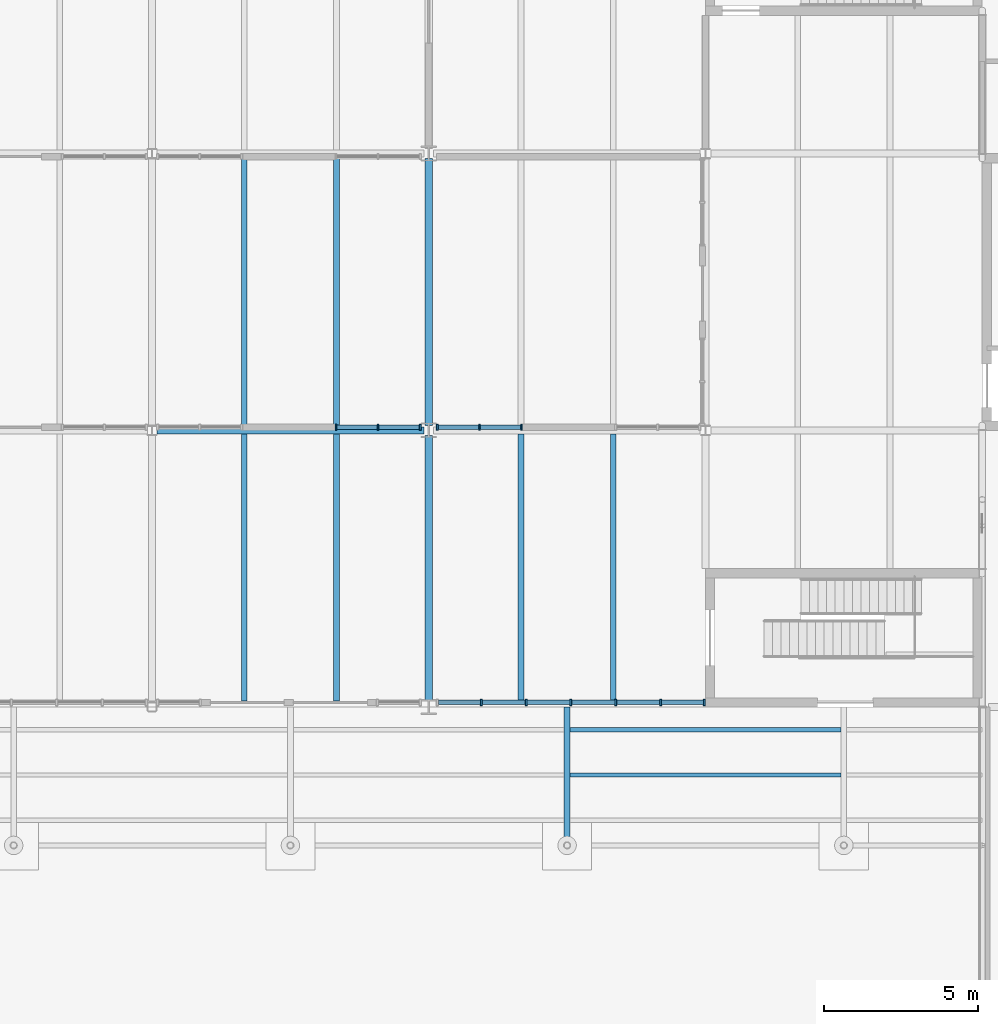
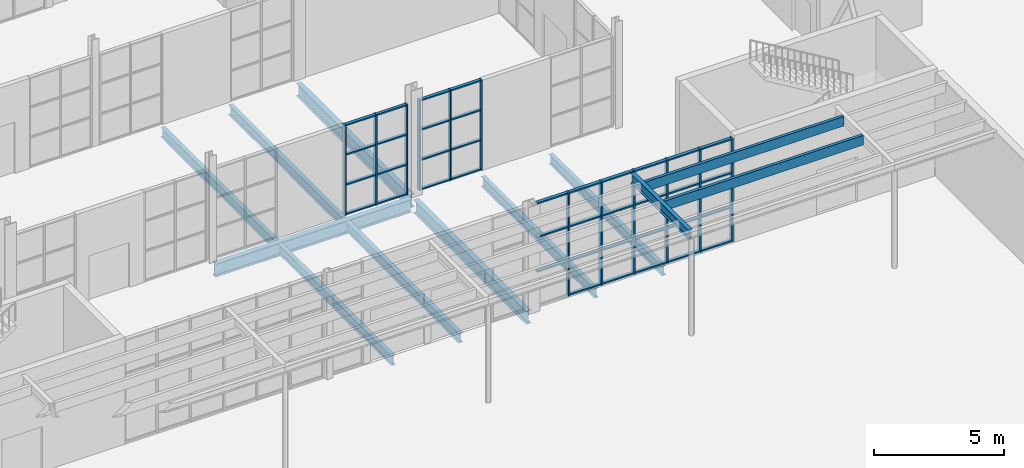
# One storey, part 15 of 63: 51 members, 12 beams, 3 elements without a shape of their own.
"""IFC4 building model written with IfcOpenShell, lengths in metres."""

import ifcopenshell
import ifcopenshell.guid

model = None  # the IFC model being written
_history = None  # IfcOwnerHistory: only IFC2X3 demands one
_inside = {}  # id of a spatial element -> (the spatial element, [elements in it])
_under = {}  # id of a project, library or spatial element -> (it, [spatial elements below it])
_declared = {}  # id of a project -> (the project, [libraries it declares])
_typed = {}  # id of a type object -> (the type object, [elements of that type])
_made_of = {}  # id of a material, layer set ... -> (it, [elements and type objects made of it])


def new_model(schema):
    """Start an empty IFC model of exactly this schema.

    Asked for "IFC4X3", IfcOpenShell would pick the latest addendum, in which some entities
    have other attributes; the version numbers below select the first issue.
    IFC2X3 requires an IfcOwnerHistory on every rooted entity: one is made here for all.
    """
    global model, _history
    if schema == "IFC4X3":
        model = ifcopenshell.file(schema_version=(4, 3, 0, 0))
    else:
        model = ifcopenshell.file(schema=schema)
    _inside.clear()
    _under.clear()
    _declared.clear()
    _typed.clear()
    _made_of.clear()
    _history = None
    if model.schema == "IFC2X3":
        org = make("IfcOrganization", Name="unknown")
        user = make(
            "IfcPersonAndOrganization",
            ThePerson=make("IfcPerson", FamilyName="unknown"),
            TheOrganization=org,
        )
        app = make(
            "IfcApplication",
            ApplicationDeveloper=org,
            Version="unknown",
            ApplicationFullName="unknown",
            ApplicationIdentifier="unknown",
        )
        _history = make(
            "IfcOwnerHistory",
            OwningUser=user,
            OwningApplication=app,
            ChangeAction="ADDED",
            CreationDate=0,
        )
    return model


def make(cls, **values):
    """One entity of the class cls with the attributes given. An attribute that is None is left unset."""
    return model.create_entity(
        cls, **{name: value for name, value in values.items() if value is not None}
    )


def rooted(cls, **values):
    """An entity with a GlobalId (a new one), such as an element, a storey or a relation."""
    return make(cls, GlobalId=ifcopenshell.guid.new(), OwnerHistory=_history, **values)


def si_unit(unit_type, name, prefix=None):
    """IfcSIUnit, for example si_unit("LENGTHUNIT", "METRE", prefix="MILLI")."""
    return make("IfcSIUnit", UnitType=unit_type, Prefix=prefix, Name=name)


def assignment(units):
    """IfcUnitAssignment: the units of a project."""
    return None if units is None else make("IfcUnitAssignment", Units=units)


def point(xyz):
    """IfcCartesianPoint."""
    return None if xyz is None else make("IfcCartesianPoint", Coordinates=xyz)


def direction(xyz):
    """IfcDirection."""
    return None if xyz is None else make("IfcDirection", DirectionRatios=xyz)


def frame(location, z_axis=None, x_axis=None):
    """IfcAxis2Placement3D, a coordinate frame: its origin and axes. An axis left out is left unset."""
    return make(
        "IfcAxis2Placement3D",
        Location=point(location),
        Axis=direction(z_axis),
        RefDirection=direction(x_axis),
    )


def frame_2d(location, x_axis=None):
    """IfcAxis2Placement2D, a coordinate frame in the plane: its origin and x axis."""
    return make(
        "IfcAxis2Placement2D", Location=point(location), RefDirection=direction(x_axis)
    )


def origin():
    """The frame at (0, 0, 0) with its axes left unset."""
    return frame((0.0, 0.0, 0.0))


def origin_2d():
    """The frame at (0, 0) in the plane with its x axis left unset."""
    return frame_2d((0.0, 0.0))


def place(relative_to, where):
    """IfcLocalPlacement: puts the frame where relative to a parent placement (None: the world)."""
    return make(
        "IfcLocalPlacement", PlacementRelTo=relative_to, RelativePlacement=where
    )


def context(
    kind, dimensions, precision=None, world=None, true_north=None, identifier=None
):
    """IfcGeometricRepresentationContext, for example the 3D "Model" context."""
    return make(
        "IfcGeometricRepresentationContext",
        ContextIdentifier=identifier,
        ContextType=kind,
        CoordinateSpaceDimension=dimensions,
        Precision=precision,
        WorldCoordinateSystem=world,
        TrueNorth=true_north,
    )


def subcontext(parent, identifier, kind, view, scale=None):
    """IfcGeometricRepresentationSubContext, for example "Body" below "Model"."""
    return make(
        "IfcGeometricRepresentationSubContext",
        ContextIdentifier=identifier,
        ContextType=kind,
        ParentContext=parent,
        TargetScale=scale,
        TargetView=view,
    )


def project(units=None, contexts=None):
    """IfcProject with its units and contexts."""
    return rooted(
        "IfcProject",
        Name="project",
        RepresentationContexts=contexts,
        UnitsInContext=assignment(units),
    )


def spatial(cls, under=None, at=None, **own):
    """A site, building, storey or space (cls), placed at a placement, below another one or the project."""
    s = rooted(cls, ObjectPlacement=at, **own)
    if under is not None:
        _under.setdefault(under.id(), (under, []))[1].append(s)
    return s


def profile(cls, at=None, kind="AREA", **sizes):
    """A parametric profile (cls). Its sizes go by their IFC names, for example OverallWidth=200.0."""
    return make(cls, ProfileType=kind, Position=at, **sizes)


def rectangle(**sizes):
    """IfcRectangleProfileDef."""
    return profile("IfcRectangleProfileDef", **sizes)


def i_section(**sizes):
    """IfcIShapeProfileDef."""
    return profile("IfcIShapeProfileDef", **sizes)


def extrude(swept, where, along, depth):
    """IfcExtrudedAreaSolid: the profile swept, set in the frame where, extruded along a direction by depth."""
    return make(
        "IfcExtrudedAreaSolid",
        SweptArea=swept,
        Position=where,
        ExtrudedDirection=direction(along),
        Depth=depth,
    )


def shape(context_of_items, identifier, shape_type, items):
    """IfcShapeRepresentation: the items that make up one representation, for example the "Body"."""
    return make(
        "IfcShapeRepresentation",
        ContextOfItems=context_of_items,
        RepresentationIdentifier=identifier,
        RepresentationType=shape_type,
        Items=items,
    )


def material(Name=None, Category=None):
    """IfcMaterial."""
    return make("IfcMaterial", Name=Name, Category=Category)


def layer(
    of_material, thickness, ventilated=None, Name=None, Category=None, Priority=None
):
    """IfcMaterialLayer: one layer of a wall or slab, of a material (None: an air gap)."""
    return make(
        "IfcMaterialLayer",
        Material=of_material,
        LayerThickness=thickness,
        IsVentilated=ventilated,
        Name=Name,
        Category=Category,
        Priority=Priority,
    )


def layer_set(layers, Name=None):
    """IfcMaterialLayerSet."""
    return make("IfcMaterialLayerSet", MaterialLayers=layers, LayerSetName=Name)


def material_profile(
    of_material, cross_section, Name=None, Category=None, Priority=None
):
    """IfcMaterialProfile: a cross section and its material."""
    return make(
        "IfcMaterialProfile",
        Name=Name,
        Material=of_material,
        Profile=cross_section,
        Priority=Priority,
        Category=Category,
    )


def profile_set(profiles, Name=None, composite=None):
    """IfcMaterialProfileSet."""
    return make(
        "IfcMaterialProfileSet",
        Name=Name,
        MaterialProfiles=profiles,
        CompositeProfile=composite,
    )


def made_of(thing, what):
    """Note that an element or type object is made of a material, layer set ...; save() writes the relation."""
    if what is not None:
        _made_of.setdefault(what.id(), (what, []))[1].append(thing)
    return thing


def type_object(cls, material=None, **own):
    """A type object (cls), such as IfcWallType, which elements share."""
    return made_of(rooted(cls, **own), material)


def element(
    cls,
    number,
    at=None,
    inside=None,
    cuts=None,
    type_object=None,
    material=None,
    context=None,
    identifier="Body",
    shape_type=None,
    held_by="IfcProductDefinitionShape",
    body=None,
    shapes=None,
    **own,
):
    """One element of the class cls, such as IfcWall. Its Tag is "e" and its number.

    at: its placement. inside: the storey or other place that contains it. cuts: it is an
    opening in that element (IfcRelVoidsElement). A single representation is given by context,
    identifier, shape_type and body (its items); several are given by shapes. held_by: the class
    of the entity that holds the representations. save() writes the other relations.
    """
    e = rooted(cls, Tag="e%d" % number, ObjectPlacement=at, **own)
    if body is not None:
        shapes = [shape(context, identifier, shape_type, body)]
    if shapes is not None:
        e.Representation = make(held_by, Representations=shapes)
    if inside is not None:
        _inside.setdefault(inside.id(), (inside, []))[1].append(e)
    if cuts is not None:
        rooted(
            "IfcRelVoidsElement", RelatingBuildingElement=cuts, RelatedOpeningElement=e
        )
    if type_object is not None:
        _typed.setdefault(type_object.id(), (type_object, []))[1].append(e)
    return made_of(e, material)


def aggregate(whole, parts):
    """IfcRelAggregates: a whole, such as a stair, and the parts it consists of."""
    return rooted("IfcRelAggregates", RelatingObject=whole, RelatedObjects=parts)


def save(model, path):
    """Write the relations noted so far, then the file.

    IfcRelAggregates (storeys below a building ...), IfcRelContainedInSpatialStructure (elements
    in a storey), IfcRelDefinesByType, IfcRelAssociatesMaterial and IfcRelDeclares: one each for
    every whole, place, type object, material and project.
    """
    for whole, parts in _under.values():
        aggregate(whole, parts)
    for where, things in _inside.values():
        rooted(
            "IfcRelContainedInSpatialStructure",
            RelatedElements=things,
            RelatingStructure=where,
        )
    for kind, things in _typed.values():
        rooted("IfcRelDefinesByType", RelatedObjects=things, RelatingType=kind)
    for what, things in _made_of.values():
        rooted("IfcRelAssociatesMaterial", RelatedObjects=things, RelatingMaterial=what)
    for by, libraries in _declared.values():
        rooted("IfcRelDeclares", RelatingContext=by, RelatedDefinitions=libraries)
    model.write(path)


model = new_model("IFC4")

# Units and contexts
model_context = context("Model", 3, precision=1e-05, world=origin(), true_north=direction((0.0, 1.0)))
body_context = subcontext(model_context, "Body", "Model", "MODEL_VIEW")
ifc_project = project(units=[si_unit("LENGTHUNIT", "METRE"), si_unit("AREAUNIT", "SQUARE_METRE"), si_unit("VOLUMEUNIT", "CUBIC_METRE"), si_unit("PLANEANGLEUNIT", "RADIAN"), si_unit("MASSUNIT", "GRAM", prefix="KILO")], contexts=[model_context])

# Site, building, storey
site_placement = place(None, origin())
site = spatial("IfcSite", under=ifc_project, at=site_placement, CompositionType="ELEMENT")
building_placement = place(site_placement, origin())
building = spatial("IfcBuilding", under=site, at=building_placement, Name="Halyard Row Museum", CompositionType="ELEMENT")
storey_placement = place(building_placement, origin())
storey = spatial("IfcBuildingStorey", under=building, at=storey_placement, Name="L00", CompositionType="ELEMENT", Elevation=0.0)

# Beams
ifc_material_1 = material(Name="Steel Grade 300", Category="steel")
ifc_material_profile_1 = material_profile(ifc_material_1, i_section(OverallWidth=0.18994140625, OverallDepth=0.453857421875, WebThickness=0.008544921875, FlangeThickness=0.0126953125, FilletRadius=0.011474609375, at=origin_2d()), Name="460UB67.1")
ifc_profile_set_1 = profile_set([ifc_material_profile_1], Name="Steel Grade 300")
beam_type_1 = type_object("IfcBeamType", Name="Canopy primary beam 460UB67.1", PredefinedType="BEAM", material=ifc_profile_set_1)
beam_1_placement = place(storey_placement, frame((58.5, 13.5830078125, 4.623046875), z_axis=(0.0, 1.0, 0.0), x_axis=(-1.0, 0.0, 0.0)))
element("IfcBeam", 1, at=beam_1_placement, inside=storey, type_object=beam_type_1, Name="Canopy primary beam 58.5", PredefinedType="BEAM", context=body_context, shape_type="SweptSolid", body=[
    extrude(i_section(OverallWidth=0.18994140625, OverallDepth=0.453857421875, WebThickness=0.008544921875, FlangeThickness=0.0126953125, FilletRadius=0.011474609375, at=origin_2d()), origin(), (0.0, 0.0, 1.0), 4.4169921875),
])
ifc_material_2 = material(Name="Glulam GL12 radiata pine", Category="wood")
ifc_material_profile_2 = material_profile(ifc_material_2, rectangle(XDim=0.135009765625, YDim=0.449951171875, at=origin_2d()), Name="GL12 135x450")
ifc_profile_set_2 = profile_set([ifc_material_profile_2], Name="Glulam GL12 radiata pine")
beam_type_2 = type_object("IfcBeamType", Name="Canopy soffit joist GL12 135x450", PredefinedType="JOIST", material=ifc_profile_set_2)
for number, where, z_axis, x_axis, name in (
    (2, (58.594970703125, 15.79150390625, 4.625), (1.0, 0.0, 0.0), (0.0, 1.0, 0.0), "Canopy soffit joist 5.2"),
    (3, (58.594970703125, 17.263916015625, 4.625), (1.0, 0.0, 0.0), (0.0, 1.0, 0.0), "Canopy soffit joist 5.3"),
):
    element("IfcBeam", number, at=place(storey_placement, frame(where, z_axis=z_axis, x_axis=x_axis)), inside=storey, type_object=beam_type_2, Name=name, PredefinedType="JOIST", context=body_context, shape_type="SweptSolid", body=[
        extrude(rectangle(XDim=0.135009765625, YDim=0.449951171875, at=origin_2d()), origin(), (0.0, 0.0, 1.0), 8.81005859375),
    ])

# Curtain wall, members
ifc_material_3 = material(Name="Double glazed unit, low-emissivity", Category="glass")
ifc_layer_1 = layer(ifc_material_3, 0.199951171875)
ifc_layer_set_1 = layer_set([ifc_layer_1], Name="Double glazed unit, low-emissivity")
curtain_wall_type_1 = type_object("IfcCurtainWallType", Name="Curtain wall shopfront 200 deep", PredefinedType="NOTDEFINED", material=ifc_layer_set_1)
curtain_wall_1_placement = place(storey_placement, origin())
curtain_wall_1 = element("IfcCurtainWall", 4, at=curtain_wall_1_placement, inside=storey, type_object=curtain_wall_type_1, Name="Curtain wall CW016", PredefinedType="NOTDEFINED")
ifc_material_4 = material(Name="Powder-coated aluminium section", Category="aluminium")
ifc_material_profile_3 = material_profile(ifc_material_4, rectangle(XDim=0.199951171875, YDim=0.06494140625, at=origin_2d()), Name="200x65 mullion")
ifc_profile_set_3 = profile_set([ifc_material_profile_3], Name="Powder-coated aluminium section")
member_type_1 = type_object("IfcMemberType", Name="Curtain wall mullion CM1 65 x 200", PredefinedType="MULLION", material=ifc_profile_set_3)
member_1_placement = place(storey_placement, frame((55.708251953125, 18.14990234375, 0.0), z_axis=(0.0, 0.0, 1.0), x_axis=(0.0, 1.0, 0.0)))
member_1 = element("IfcMember", 5, at=member_1_placement, type_object=member_type_1, Name="CW016 mullion 2", PredefinedType="MULLION", context=body_context, shape_type="SweptSolid", body=[
    extrude(rectangle(XDim=0.199951171875, YDim=0.06494140625, at=origin_2d()), origin(), (0.0, 0.0, 1.0), 4.8349609375),
])
member_2_placement = place(storey_placement, frame((57.166748046875, 18.14990234375, 0.0), z_axis=(0.0, 0.0, 1.0), x_axis=(0.0, 1.0, 0.0)))
member_2 = element("IfcMember", 6, at=member_2_placement, type_object=member_type_1, Name="CW016 mullion 3", PredefinedType="MULLION", context=body_context, shape_type="SweptSolid", body=[
    extrude(rectangle(XDim=0.199951171875, YDim=0.06494140625, at=origin_2d()), origin(), (0.0, 0.0, 1.0), 4.8349609375),
])
member_3_placement = place(storey_placement, frame((58.625, 18.14990234375, 0.0), z_axis=(0.0, 0.0, 1.0), x_axis=(0.0, 1.0, 0.0)))
member_3 = element("IfcMember", 7, at=member_3_placement, type_object=member_type_1, Name="CW016 mullion 4", PredefinedType="MULLION", context=body_context, shape_type="SweptSolid", body=[
    extrude(rectangle(XDim=0.199951171875, YDim=0.06494140625, at=origin_2d()), origin(), (0.0, 0.0, 1.0), 4.8349609375),
])
member_4_placement = place(storey_placement, frame((60.083251953125, 18.14990234375, 0.0), z_axis=(0.0, 0.0, 1.0), x_axis=(0.0, 1.0, 0.0)))
member_4 = element("IfcMember", 8, at=member_4_placement, type_object=member_type_1, Name="CW016 mullion 5", PredefinedType="MULLION", context=body_context, shape_type="SweptSolid", body=[
    extrude(rectangle(XDim=0.199951171875, YDim=0.06494140625, at=origin_2d()), origin(), (0.0, 0.0, 1.0), 4.8349609375),
])
member_5_placement = place(storey_placement, frame((61.541748046875, 18.14990234375, 0.0), z_axis=(0.0, 0.0, 1.0), x_axis=(0.0, 1.0, 0.0)))
member_5 = element("IfcMember", 9, at=member_5_placement, type_object=member_type_1, Name="CW016 mullion 6", PredefinedType="MULLION", context=body_context, shape_type="SweptSolid", body=[
    extrude(rectangle(XDim=0.199951171875, YDim=0.06494140625, at=origin_2d()), origin(), (0.0, 0.0, 1.0), 4.8349609375),
])
member_6_placement = place(storey_placement, frame((62.967529296875, 18.14990234375, 0.0), z_axis=(0.0, 0.0, 1.0), x_axis=(0.0, 1.0, 0.0)))
member_6 = element("IfcMember", 10, at=member_6_placement, type_object=member_type_1, Name="CW016 mullion 7", PredefinedType="MULLION", context=body_context, shape_type="SweptSolid", body=[
    extrude(rectangle(XDim=0.199951171875, YDim=0.06494140625, at=origin_2d()), origin(), (0.0, 0.0, 1.0), 4.8349609375),
])

ifc_material_5 = material(Name="Double glazed unit, low-emissivity", Category="glass")
ifc_layer_2 = layer(ifc_material_5, 0.179931640625)
ifc_layer_set_2 = layer_set([ifc_layer_2], Name="Double glazed unit, low-emissivity")
curtain_wall_type_2 = type_object("IfcCurtainWallType", Name="Curtain wall stick 180 deep", PredefinedType="NOTDEFINED", material=ifc_layer_set_2)
curtain_wall_2_placement = place(storey_placement, origin())
curtain_wall_2 = element("IfcCurtainWall", 11, at=curtain_wall_2_placement, inside=storey, type_object=curtain_wall_type_2, Name="Curtain wall CW123", PredefinedType="NOTDEFINED")
ifc_material_6 = material(Name="Powder-coated aluminium section", Category="aluminium")
ifc_material_profile_4 = material_profile(ifc_material_6, rectangle(XDim=0.179931640625, YDim=0.06005859375, at=origin_2d()), Name="180x60 mullion")
ifc_profile_set_4 = profile_set([ifc_material_profile_4], Name="Powder-coated aluminium section")
member_type_2 = type_object("IfcMemberType", Name="Curtain wall mullion CM2 60 x 180", PredefinedType="MULLION", material=ifc_profile_set_4)
member_7_placement = place(storey_placement, frame((50.982177734375, 27.10009765625, 0.0), z_axis=(0.0, 0.0, 1.0), x_axis=(0.0, 1.0, 0.0)))
member_7 = element("IfcMember", 12, at=member_7_placement, type_object=member_type_2, Name="CW123 mullion 1", PredefinedType="MULLION", context=body_context, shape_type="SweptSolid", body=[
    extrude(rectangle(XDim=0.179931640625, YDim=0.06005859375, at=origin_2d()), origin(), (0.0, 0.0, 1.0), 4.22802734375),
])
member_8_placement = place(storey_placement, frame((52.35107421875, 27.10009765625, 0.0), z_axis=(0.0, 0.0, 1.0), x_axis=(0.0, 1.0, 0.0)))
member_8 = element("IfcMember", 13, at=member_8_placement, type_object=member_type_2, Name="CW123 mullion 2", PredefinedType="MULLION", context=body_context, shape_type="SweptSolid", body=[
    extrude(rectangle(XDim=0.179931640625, YDim=0.06005859375, at=origin_2d()), origin(), (0.0, 0.0, 1.0), 4.22802734375),
])
member_9_placement = place(storey_placement, frame((53.719970703125, 27.10009765625, 0.0), z_axis=(0.0, 0.0, 1.0), x_axis=(0.0, 1.0, 0.0)))
member_9 = element("IfcMember", 14, at=member_9_placement, type_object=member_type_2, Name="CW123 mullion 3", PredefinedType="MULLION", context=body_context, shape_type="SweptSolid", body=[
    extrude(rectangle(XDim=0.179931640625, YDim=0.06005859375, at=origin_2d()), origin(), (0.0, 0.0, 1.0), 4.22802734375),
])

curtain_wall_3_placement = place(storey_placement, origin())
curtain_wall_3 = element("IfcCurtainWall", 15, at=curtain_wall_3_placement, inside=storey, type_object=curtain_wall_type_2, Name="Curtain wall CW124", PredefinedType="NOTDEFINED")
member_10_placement = place(storey_placement, frame((54.280029296875, 27.10009765625, 0.0), z_axis=(0.0, 0.0, 1.0), x_axis=(0.0, 1.0, 0.0)))
member_10 = element("IfcMember", 16, at=member_10_placement, type_object=member_type_2, Name="CW124 mullion 1", PredefinedType="MULLION", context=body_context, shape_type="SweptSolid", body=[
    extrude(rectangle(XDim=0.179931640625, YDim=0.06005859375, at=origin_2d()), origin(), (0.0, 0.0, 1.0), 4.22802734375),
])
member_11_placement = place(storey_placement, frame((55.648681640625, 27.10009765625, 0.0), z_axis=(0.0, 0.0, 1.0), x_axis=(0.0, 1.0, 0.0)))
member_11 = element("IfcMember", 17, at=member_11_placement, type_object=member_type_2, Name="CW124 mullion 2", PredefinedType="MULLION", context=body_context, shape_type="SweptSolid", body=[
    extrude(rectangle(XDim=0.179931640625, YDim=0.06005859375, at=origin_2d()), origin(), (0.0, 0.0, 1.0), 4.22802734375),
])
member_12_placement = place(storey_placement, frame((57.017333984375, 27.10009765625, 0.0), z_axis=(0.0, 0.0, 1.0), x_axis=(0.0, 1.0, 0.0)))
member_12 = element("IfcMember", 18, at=member_12_placement, type_object=member_type_2, Name="CW124 mullion 3", PredefinedType="MULLION", context=body_context, shape_type="SweptSolid", body=[
    extrude(rectangle(XDim=0.179931640625, YDim=0.06005859375, at=origin_2d()), origin(), (0.0, 0.0, 1.0), 4.22802734375),
])

# Member
ifc_material_7 = material(Name="Powder-coated aluminium section", Category="aluminium")
ifc_material_profile_5 = material_profile(ifc_material_7, rectangle(XDim=0.14990234375, YDim=0.06494140625, at=origin_2d()), Name="150x65 transom")
ifc_profile_set_5 = profile_set([ifc_material_profile_5], Name="Powder-coated aluminium section")
member_type_3 = type_object("IfcMemberType", Name="Curtain wall transom CT1 65 x 150", PredefinedType="USERDEFINED", material=ifc_profile_set_5)
member_13_placement = place(storey_placement, frame((54.31494140625, 18.14990234375, 1.611572265625), z_axis=(1.0, 0.0, 0.0), x_axis=(0.0, 1.0, 0.0)))
member_13 = element("IfcMember", 19, at=member_13_placement, type_object=member_type_3, Name="CW016 transom 1.2", ObjectType="TRANSOM", PredefinedType="USERDEFINED", context=body_context, shape_type="SweptSolid", body=[
    extrude(rectangle(XDim=0.14990234375, YDim=0.06494140625, at=origin_2d()), origin(), (0.0, 0.0, 1.0), 1.36083984375),
])

member_14_placement = place(storey_placement, frame((54.31494140625, 18.14990234375, 3.223388671875), z_axis=(1.0, 0.0, 0.0), x_axis=(0.0, 1.0, 0.0)))
member_14 = element("IfcMember", 20, at=member_14_placement, type_object=member_type_3, Name="CW016 transom 1.3", ObjectType="TRANSOM", PredefinedType="USERDEFINED", context=body_context, shape_type="SweptSolid", body=[
    extrude(rectangle(XDim=0.14990234375, YDim=0.06494140625, at=origin_2d()), origin(), (0.0, 0.0, 1.0), 1.36083984375),
])

member_15_placement = place(storey_placement, frame((54.31494140625, 18.14990234375, 4.802490234375), z_axis=(1.0, 0.0, 0.0), x_axis=(0.0, 1.0, 0.0)))
member_15 = element("IfcMember", 21, at=member_15_placement, type_object=member_type_3, Name="CW016 transom 1.4", ObjectType="TRANSOM", PredefinedType="USERDEFINED", context=body_context, shape_type="SweptSolid", body=[
    extrude(rectangle(XDim=0.14990234375, YDim=0.06494140625, at=origin_2d()), origin(), (0.0, 0.0, 1.0), 1.36083984375),
])

member_16_placement = place(storey_placement, frame((55.74072265625, 18.14990234375, 0.032470703125), z_axis=(1.0, 0.0, 0.0), x_axis=(0.0, 1.0, 0.0)))
member_16 = element("IfcMember", 22, at=member_16_placement, type_object=member_type_3, Name="CW016 transom 2.1", ObjectType="TRANSOM", PredefinedType="USERDEFINED", context=body_context, shape_type="SweptSolid", body=[
    extrude(rectangle(XDim=0.14990234375, YDim=0.06494140625, at=origin_2d()), origin(), (0.0, 0.0, 1.0), 1.3935546875),
])

member_17_placement = place(storey_placement, frame((55.74072265625, 18.14990234375, 1.611572265625), z_axis=(1.0, 0.0, 0.0), x_axis=(0.0, 1.0, 0.0)))
member_17 = element("IfcMember", 23, at=member_17_placement, type_object=member_type_3, Name="CW016 transom 2.2", ObjectType="TRANSOM", PredefinedType="USERDEFINED", context=body_context, shape_type="SweptSolid", body=[
    extrude(rectangle(XDim=0.14990234375, YDim=0.06494140625, at=origin_2d()), origin(), (0.0, 0.0, 1.0), 1.3935546875),
])

member_18_placement = place(storey_placement, frame((55.74072265625, 18.14990234375, 3.223388671875), z_axis=(1.0, 0.0, 0.0), x_axis=(0.0, 1.0, 0.0)))
member_18 = element("IfcMember", 24, at=member_18_placement, type_object=member_type_3, Name="CW016 transom 2.3", ObjectType="TRANSOM", PredefinedType="USERDEFINED", context=body_context, shape_type="SweptSolid", body=[
    extrude(rectangle(XDim=0.14990234375, YDim=0.06494140625, at=origin_2d()), origin(), (0.0, 0.0, 1.0), 1.3935546875),
])

member_19_placement = place(storey_placement, frame((55.74072265625, 18.14990234375, 4.802490234375), z_axis=(1.0, 0.0, 0.0), x_axis=(0.0, 1.0, 0.0)))
member_19 = element("IfcMember", 25, at=member_19_placement, type_object=member_type_3, Name="CW016 transom 2.4", ObjectType="TRANSOM", PredefinedType="USERDEFINED", context=body_context, shape_type="SweptSolid", body=[
    extrude(rectangle(XDim=0.14990234375, YDim=0.06494140625, at=origin_2d()), origin(), (0.0, 0.0, 1.0), 1.3935546875),
])

member_20_placement = place(storey_placement, frame((57.19921875, 18.14990234375, 0.032470703125), z_axis=(1.0, 0.0, 0.0), x_axis=(0.0, 1.0, 0.0)))
member_20 = element("IfcMember", 26, at=member_20_placement, type_object=member_type_3, Name="CW016 transom 3.1", ObjectType="TRANSOM", PredefinedType="USERDEFINED", context=body_context, shape_type="SweptSolid", body=[
    extrude(rectangle(XDim=0.14990234375, YDim=0.06494140625, at=origin_2d()), origin(), (0.0, 0.0, 1.0), 1.393310546875),
])

member_21_placement = place(storey_placement, frame((57.19921875, 18.14990234375, 1.611572265625), z_axis=(1.0, 0.0, 0.0), x_axis=(0.0, 1.0, 0.0)))
member_21 = element("IfcMember", 27, at=member_21_placement, type_object=member_type_3, Name="CW016 transom 3.2", ObjectType="TRANSOM", PredefinedType="USERDEFINED", context=body_context, shape_type="SweptSolid", body=[
    extrude(rectangle(XDim=0.14990234375, YDim=0.06494140625, at=origin_2d()), origin(), (0.0, 0.0, 1.0), 1.393310546875),
])

member_22_placement = place(storey_placement, frame((57.19921875, 18.14990234375, 3.223388671875), z_axis=(1.0, 0.0, 0.0), x_axis=(0.0, 1.0, 0.0)))
member_22 = element("IfcMember", 28, at=member_22_placement, type_object=member_type_3, Name="CW016 transom 3.3", ObjectType="TRANSOM", PredefinedType="USERDEFINED", context=body_context, shape_type="SweptSolid", body=[
    extrude(rectangle(XDim=0.14990234375, YDim=0.06494140625, at=origin_2d()), origin(), (0.0, 0.0, 1.0), 1.393310546875),
])

member_23_placement = place(storey_placement, frame((57.19921875, 18.14990234375, 4.802490234375), z_axis=(1.0, 0.0, 0.0), x_axis=(0.0, 1.0, 0.0)))
member_23 = element("IfcMember", 29, at=member_23_placement, type_object=member_type_3, Name="CW016 transom 3.4", ObjectType="TRANSOM", PredefinedType="USERDEFINED", context=body_context, shape_type="SweptSolid", body=[
    extrude(rectangle(XDim=0.14990234375, YDim=0.06494140625, at=origin_2d()), origin(), (0.0, 0.0, 1.0), 1.393310546875),
])

member_24_placement = place(storey_placement, frame((58.657470703125, 18.14990234375, 0.032470703125), z_axis=(1.0, 0.0, 0.0), x_axis=(0.0, 1.0, 0.0)))
member_24 = element("IfcMember", 30, at=member_24_placement, type_object=member_type_3, Name="CW016 transom 4.1", ObjectType="TRANSOM", PredefinedType="USERDEFINED", context=body_context, shape_type="SweptSolid", body=[
    extrude(rectangle(XDim=0.14990234375, YDim=0.06494140625, at=origin_2d()), origin(), (0.0, 0.0, 1.0), 1.393310546875),
])

member_25_placement = place(storey_placement, frame((58.657470703125, 18.14990234375, 1.611572265625), z_axis=(1.0, 0.0, 0.0), x_axis=(0.0, 1.0, 0.0)))
member_25 = element("IfcMember", 31, at=member_25_placement, type_object=member_type_3, Name="CW016 transom 4.2", ObjectType="TRANSOM", PredefinedType="USERDEFINED", context=body_context, shape_type="SweptSolid", body=[
    extrude(rectangle(XDim=0.14990234375, YDim=0.06494140625, at=origin_2d()), origin(), (0.0, 0.0, 1.0), 1.393310546875),
])

member_26_placement = place(storey_placement, frame((58.657470703125, 18.14990234375, 3.223388671875), z_axis=(1.0, 0.0, 0.0), x_axis=(0.0, 1.0, 0.0)))
member_26 = element("IfcMember", 32, at=member_26_placement, type_object=member_type_3, Name="CW016 transom 4.3", ObjectType="TRANSOM", PredefinedType="USERDEFINED", context=body_context, shape_type="SweptSolid", body=[
    extrude(rectangle(XDim=0.14990234375, YDim=0.06494140625, at=origin_2d()), origin(), (0.0, 0.0, 1.0), 1.393310546875),
])

member_27_placement = place(storey_placement, frame((58.657470703125, 18.14990234375, 4.802490234375), z_axis=(1.0, 0.0, 0.0), x_axis=(0.0, 1.0, 0.0)))
member_27 = element("IfcMember", 33, at=member_27_placement, type_object=member_type_3, Name="CW016 transom 4.4", ObjectType="TRANSOM", PredefinedType="USERDEFINED", context=body_context, shape_type="SweptSolid", body=[
    extrude(rectangle(XDim=0.14990234375, YDim=0.06494140625, at=origin_2d()), origin(), (0.0, 0.0, 1.0), 1.393310546875),
])

member_28_placement = place(storey_placement, frame((60.11572265625, 18.14990234375, 0.032470703125), z_axis=(1.0, 0.0, 0.0), x_axis=(0.0, 1.0, 0.0)))
member_28 = element("IfcMember", 34, at=member_28_placement, type_object=member_type_3, Name="CW016 transom 5.1", ObjectType="TRANSOM", PredefinedType="USERDEFINED", context=body_context, shape_type="SweptSolid", body=[
    extrude(rectangle(XDim=0.14990234375, YDim=0.06494140625, at=origin_2d()), origin(), (0.0, 0.0, 1.0), 1.3935546875),
])

member_29_placement = place(storey_placement, frame((60.11572265625, 18.14990234375, 1.611572265625), z_axis=(1.0, 0.0, 0.0), x_axis=(0.0, 1.0, 0.0)))
member_29 = element("IfcMember", 35, at=member_29_placement, type_object=member_type_3, Name="CW016 transom 5.2", ObjectType="TRANSOM", PredefinedType="USERDEFINED", context=body_context, shape_type="SweptSolid", body=[
    extrude(rectangle(XDim=0.14990234375, YDim=0.06494140625, at=origin_2d()), origin(), (0.0, 0.0, 1.0), 1.3935546875),
])

member_30_placement = place(storey_placement, frame((60.11572265625, 18.14990234375, 3.223388671875), z_axis=(1.0, 0.0, 0.0), x_axis=(0.0, 1.0, 0.0)))
member_30 = element("IfcMember", 36, at=member_30_placement, type_object=member_type_3, Name="CW016 transom 5.3", ObjectType="TRANSOM", PredefinedType="USERDEFINED", context=body_context, shape_type="SweptSolid", body=[
    extrude(rectangle(XDim=0.14990234375, YDim=0.06494140625, at=origin_2d()), origin(), (0.0, 0.0, 1.0), 1.3935546875),
])

member_31_placement = place(storey_placement, frame((60.11572265625, 18.14990234375, 4.802490234375), z_axis=(1.0, 0.0, 0.0), x_axis=(0.0, 1.0, 0.0)))
member_31 = element("IfcMember", 37, at=member_31_placement, type_object=member_type_3, Name="CW016 transom 5.4", ObjectType="TRANSOM", PredefinedType="USERDEFINED", context=body_context, shape_type="SweptSolid", body=[
    extrude(rectangle(XDim=0.14990234375, YDim=0.06494140625, at=origin_2d()), origin(), (0.0, 0.0, 1.0), 1.3935546875),
])

member_32_placement = place(storey_placement, frame((61.57421875, 18.14990234375, 0.032470703125), z_axis=(1.0, 0.0, 0.0), x_axis=(0.0, 1.0, 0.0)))
member_32 = element("IfcMember", 38, at=member_32_placement, type_object=member_type_3, Name="CW016 transom 6.1", ObjectType="TRANSOM", PredefinedType="USERDEFINED", context=body_context, shape_type="SweptSolid", body=[
    extrude(rectangle(XDim=0.14990234375, YDim=0.06494140625, at=origin_2d()), origin(), (0.0, 0.0, 1.0), 1.36083984375),
])

member_33_placement = place(storey_placement, frame((61.57421875, 18.14990234375, 1.611572265625), z_axis=(1.0, 0.0, 0.0), x_axis=(0.0, 1.0, 0.0)))
member_33 = element("IfcMember", 39, at=member_33_placement, type_object=member_type_3, Name="CW016 transom 6.2", ObjectType="TRANSOM", PredefinedType="USERDEFINED", context=body_context, shape_type="SweptSolid", body=[
    extrude(rectangle(XDim=0.14990234375, YDim=0.06494140625, at=origin_2d()), origin(), (0.0, 0.0, 1.0), 1.36083984375),
])

member_34_placement = place(storey_placement, frame((61.57421875, 18.14990234375, 3.223388671875), z_axis=(1.0, 0.0, 0.0), x_axis=(0.0, 1.0, 0.0)))
member_34 = element("IfcMember", 40, at=member_34_placement, type_object=member_type_3, Name="CW016 transom 6.3", ObjectType="TRANSOM", PredefinedType="USERDEFINED", context=body_context, shape_type="SweptSolid", body=[
    extrude(rectangle(XDim=0.14990234375, YDim=0.06494140625, at=origin_2d()), origin(), (0.0, 0.0, 1.0), 1.36083984375),
])

member_35_placement = place(storey_placement, frame((61.57421875, 18.14990234375, 4.802490234375), z_axis=(1.0, 0.0, 0.0), x_axis=(0.0, 1.0, 0.0)))
member_35 = element("IfcMember", 41, at=member_35_placement, type_object=member_type_3, Name="CW016 transom 6.4", ObjectType="TRANSOM", PredefinedType="USERDEFINED", context=body_context, shape_type="SweptSolid", body=[
    extrude(rectangle(XDim=0.14990234375, YDim=0.06494140625, at=origin_2d()), origin(), (0.0, 0.0, 1.0), 1.36083984375),
])

aggregate(curtain_wall_1, [member_1, member_2, member_3, member_4, member_5, member_6, member_13, member_14, member_15, member_16, member_17, member_18, member_19, member_20, member_21, member_22, member_23, member_24, member_25, member_26, member_27, member_28, member_29, member_30, member_31, member_32, member_33, member_34, member_35])

ifc_material_8 = material(Name="Powder-coated aluminium section", Category="aluminium")
ifc_material_profile_6 = material_profile(ifc_material_8, rectangle(XDim=0.139892578125, YDim=0.06005859375, at=origin_2d()), Name="140x60 transom")
ifc_profile_set_6 = profile_set([ifc_material_profile_6], Name="Powder-coated aluminium section")
member_type_4 = type_object("IfcMemberType", Name="Curtain wall transom CT2 60 x 140", PredefinedType="USERDEFINED", material=ifc_profile_set_6)
member_36_placement = place(storey_placement, frame((51.01220703125, 27.10009765625, 0.030029296875), z_axis=(1.0, 0.0, 0.0), x_axis=(0.0, 1.0, 0.0)))
member_36 = element("IfcMember", 42, at=member_36_placement, type_object=member_type_4, Name="CW123 transom 1.1", ObjectType="TRANSOM", PredefinedType="USERDEFINED", context=body_context, shape_type="SweptSolid", body=[
    extrude(rectangle(XDim=0.139892578125, YDim=0.06005859375, at=origin_2d()), origin(), (0.0, 0.0, 1.0), 1.308837890625),
])

member_37_placement = place(storey_placement, frame((51.01220703125, 27.10009765625, 1.409423828125), z_axis=(1.0, 0.0, 0.0), x_axis=(0.0, 1.0, 0.0)))
member_37 = element("IfcMember", 43, at=member_37_placement, type_object=member_type_4, Name="CW123 transom 1.2", ObjectType="TRANSOM", PredefinedType="USERDEFINED", context=body_context, shape_type="SweptSolid", body=[
    extrude(rectangle(XDim=0.139892578125, YDim=0.06005859375, at=origin_2d()), origin(), (0.0, 0.0, 1.0), 1.308837890625),
])

member_38_placement = place(storey_placement, frame((51.01220703125, 27.10009765625, 2.818603515625), z_axis=(1.0, 0.0, 0.0), x_axis=(0.0, 1.0, 0.0)))
member_38 = element("IfcMember", 44, at=member_38_placement, type_object=member_type_4, Name="CW123 transom 1.3", ObjectType="TRANSOM", PredefinedType="USERDEFINED", context=body_context, shape_type="SweptSolid", body=[
    extrude(rectangle(XDim=0.139892578125, YDim=0.06005859375, at=origin_2d()), origin(), (0.0, 0.0, 1.0), 1.308837890625),
])

member_39_placement = place(storey_placement, frame((51.01220703125, 27.10009765625, 4.197998046875), z_axis=(1.0, 0.0, 0.0), x_axis=(0.0, 1.0, 0.0)))
member_39 = element("IfcMember", 45, at=member_39_placement, type_object=member_type_4, Name="CW123 transom 1.4", ObjectType="TRANSOM", PredefinedType="USERDEFINED", context=body_context, shape_type="SweptSolid", body=[
    extrude(rectangle(XDim=0.139892578125, YDim=0.06005859375, at=origin_2d()), origin(), (0.0, 0.0, 1.0), 1.308837890625),
])

member_40_placement = place(storey_placement, frame((52.381103515625, 27.10009765625, 0.030029296875), z_axis=(1.0, 0.0, 0.0), x_axis=(0.0, 1.0, 0.0)))
member_40 = element("IfcMember", 46, at=member_40_placement, type_object=member_type_4, Name="CW123 transom 2.1", ObjectType="TRANSOM", PredefinedType="USERDEFINED", context=body_context, shape_type="SweptSolid", body=[
    extrude(rectangle(XDim=0.139892578125, YDim=0.06005859375, at=origin_2d()), origin(), (0.0, 0.0, 1.0), 1.308837890625),
])

member_41_placement = place(storey_placement, frame((52.381103515625, 27.10009765625, 1.409423828125), z_axis=(1.0, 0.0, 0.0), x_axis=(0.0, 1.0, 0.0)))
member_41 = element("IfcMember", 47, at=member_41_placement, type_object=member_type_4, Name="CW123 transom 2.2", ObjectType="TRANSOM", PredefinedType="USERDEFINED", context=body_context, shape_type="SweptSolid", body=[
    extrude(rectangle(XDim=0.139892578125, YDim=0.06005859375, at=origin_2d()), origin(), (0.0, 0.0, 1.0), 1.308837890625),
])

member_42_placement = place(storey_placement, frame((52.381103515625, 27.10009765625, 2.818603515625), z_axis=(1.0, 0.0, 0.0), x_axis=(0.0, 1.0, 0.0)))
member_42 = element("IfcMember", 48, at=member_42_placement, type_object=member_type_4, Name="CW123 transom 2.3", ObjectType="TRANSOM", PredefinedType="USERDEFINED", context=body_context, shape_type="SweptSolid", body=[
    extrude(rectangle(XDim=0.139892578125, YDim=0.06005859375, at=origin_2d()), origin(), (0.0, 0.0, 1.0), 1.308837890625),
])

member_43_placement = place(storey_placement, frame((52.381103515625, 27.10009765625, 4.197998046875), z_axis=(1.0, 0.0, 0.0), x_axis=(0.0, 1.0, 0.0)))
member_43 = element("IfcMember", 49, at=member_43_placement, type_object=member_type_4, Name="CW123 transom 2.4", ObjectType="TRANSOM", PredefinedType="USERDEFINED", context=body_context, shape_type="SweptSolid", body=[
    extrude(rectangle(XDim=0.139892578125, YDim=0.06005859375, at=origin_2d()), origin(), (0.0, 0.0, 1.0), 1.308837890625),
])

aggregate(curtain_wall_2, [member_7, member_8, member_9, member_36, member_37, member_38, member_39, member_40, member_41, member_42, member_43])

member_44_placement = place(storey_placement, frame((54.31005859375, 27.10009765625, 0.030029296875), z_axis=(1.0, 0.0, 0.0), x_axis=(0.0, 1.0, 0.0)))
member_44 = element("IfcMember", 50, at=member_44_placement, type_object=member_type_4, Name="CW124 transom 1.1", ObjectType="TRANSOM", PredefinedType="USERDEFINED", context=body_context, shape_type="SweptSolid", body=[
    extrude(rectangle(XDim=0.139892578125, YDim=0.06005859375, at=origin_2d()), origin(), (0.0, 0.0, 1.0), 1.30859375),
])

member_45_placement = place(storey_placement, frame((54.31005859375, 27.10009765625, 1.409423828125), z_axis=(1.0, 0.0, 0.0), x_axis=(0.0, 1.0, 0.0)))
member_45 = element("IfcMember", 51, at=member_45_placement, type_object=member_type_4, Name="CW124 transom 1.2", ObjectType="TRANSOM", PredefinedType="USERDEFINED", context=body_context, shape_type="SweptSolid", body=[
    extrude(rectangle(XDim=0.139892578125, YDim=0.06005859375, at=origin_2d()), origin(), (0.0, 0.0, 1.0), 1.30859375),
])

member_46_placement = place(storey_placement, frame((54.31005859375, 27.10009765625, 2.818603515625), z_axis=(1.0, 0.0, 0.0), x_axis=(0.0, 1.0, 0.0)))
member_46 = element("IfcMember", 52, at=member_46_placement, type_object=member_type_4, Name="CW124 transom 1.3", ObjectType="TRANSOM", PredefinedType="USERDEFINED", context=body_context, shape_type="SweptSolid", body=[
    extrude(rectangle(XDim=0.139892578125, YDim=0.06005859375, at=origin_2d()), origin(), (0.0, 0.0, 1.0), 1.30859375),
])

member_47_placement = place(storey_placement, frame((54.31005859375, 27.10009765625, 4.197998046875), z_axis=(1.0, 0.0, 0.0), x_axis=(0.0, 1.0, 0.0)))
member_47 = element("IfcMember", 53, at=member_47_placement, type_object=member_type_4, Name="CW124 transom 1.4", ObjectType="TRANSOM", PredefinedType="USERDEFINED", context=body_context, shape_type="SweptSolid", body=[
    extrude(rectangle(XDim=0.139892578125, YDim=0.06005859375, at=origin_2d()), origin(), (0.0, 0.0, 1.0), 1.30859375),
])

member_48_placement = place(storey_placement, frame((55.6787109375, 27.10009765625, 0.030029296875), z_axis=(1.0, 0.0, 0.0), x_axis=(0.0, 1.0, 0.0)))
member_48 = element("IfcMember", 54, at=member_48_placement, type_object=member_type_4, Name="CW124 transom 2.1", ObjectType="TRANSOM", PredefinedType="USERDEFINED", context=body_context, shape_type="SweptSolid", body=[
    extrude(rectangle(XDim=0.139892578125, YDim=0.06005859375, at=origin_2d()), origin(), (0.0, 0.0, 1.0), 1.30859375),
])

member_49_placement = place(storey_placement, frame((55.6787109375, 27.10009765625, 1.409423828125), z_axis=(1.0, 0.0, 0.0), x_axis=(0.0, 1.0, 0.0)))
member_49 = element("IfcMember", 55, at=member_49_placement, type_object=member_type_4, Name="CW124 transom 2.2", ObjectType="TRANSOM", PredefinedType="USERDEFINED", context=body_context, shape_type="SweptSolid", body=[
    extrude(rectangle(XDim=0.139892578125, YDim=0.06005859375, at=origin_2d()), origin(), (0.0, 0.0, 1.0), 1.30859375),
])

member_50_placement = place(storey_placement, frame((55.6787109375, 27.10009765625, 2.818603515625), z_axis=(1.0, 0.0, 0.0), x_axis=(0.0, 1.0, 0.0)))
member_50 = element("IfcMember", 56, at=member_50_placement, type_object=member_type_4, Name="CW124 transom 2.3", ObjectType="TRANSOM", PredefinedType="USERDEFINED", context=body_context, shape_type="SweptSolid", body=[
    extrude(rectangle(XDim=0.139892578125, YDim=0.06005859375, at=origin_2d()), origin(), (0.0, 0.0, 1.0), 1.30859375),
])

member_51_placement = place(storey_placement, frame((55.6787109375, 27.10009765625, 4.197998046875), z_axis=(1.0, 0.0, 0.0), x_axis=(0.0, 1.0, 0.0)))
member_51 = element("IfcMember", 57, at=member_51_placement, type_object=member_type_4, Name="CW124 transom 2.4", ObjectType="TRANSOM", PredefinedType="USERDEFINED", context=body_context, shape_type="SweptSolid", body=[
    extrude(rectangle(XDim=0.139892578125, YDim=0.06005859375, at=origin_2d()), origin(), (0.0, 0.0, 1.0), 1.30859375),
])

aggregate(curtain_wall_3, [member_10, member_11, member_12, member_44, member_45, member_46, member_47, member_48, member_49, member_50, member_51])

# Beams
ifc_material_9 = material(Name="Steel Grade 300", Category="steel")
ifc_material_profile_7 = material_profile(ifc_material_9, i_section(OverallWidth=0.22900390625, OverallDepth=0.611572265625, WebThickness=0.011962890625, FlangeThickness=0.01953125, FilletRadius=0.013916015625, at=origin_2d()), Name="610UB125")
ifc_profile_set_7 = profile_set([ifc_material_profile_7], Name="Steel Grade 300")
beam_type_3 = type_object("IfcBeamType", Name="Girder beam 610UB125", PredefinedType="BEAM", material=ifc_profile_set_7)
beam_2_placement = place(storey_placement, frame((45.155517578125, 27.0, -0.470703125), z_axis=(1.0, 0.0, 0.0), x_axis=(0.0, 1.0, 0.0)))
element("IfcBeam", 58, at=beam_2_placement, inside=storey, type_object=beam_type_3, Name="Beam L00-017", PredefinedType="BEAM", context=body_context, shape_type="SweptSolid", body=[
    extrude(i_section(OverallWidth=0.22900390625, OverallDepth=0.611572265625, WebThickness=0.011962890625, FlangeThickness=0.01953125, FilletRadius=0.013916015625, at=origin_2d()), origin(), (0.0, 0.0, 1.0), 8.68994140625),
])
beam_3_placement = place(storey_placement, frame((54.0, 18.199951171875, -0.470703125), z_axis=(0.0, 1.0, 0.0), x_axis=(-1.0, 0.0, 0.0)))
element("IfcBeam", 59, at=beam_3_placement, inside=storey, type_object=beam_type_3, Name="Beam L00-053", PredefinedType="BEAM", context=body_context, shape_type="SweptSolid", body=[
    extrude(i_section(OverallWidth=0.22900390625, OverallDepth=0.611572265625, WebThickness=0.011962890625, FlangeThickness=0.01953125, FilletRadius=0.013916015625, at=origin_2d()), origin(), (0.0, 0.0, 1.0), 8.6396484375),
])
beam_4_placement = place(storey_placement, frame((54.0, 27.160400390625, -0.470703125), z_axis=(0.0, 1.0, 0.0), x_axis=(-1.0, 0.0, 0.0)))
element("IfcBeam", 60, at=beam_4_placement, inside=storey, type_object=beam_type_3, Name="Beam L00-054", PredefinedType="BEAM", context=body_context, shape_type="SweptSolid", body=[
    extrude(i_section(OverallWidth=0.22900390625, OverallDepth=0.611572265625, WebThickness=0.011962890625, FlangeThickness=0.01953125, FilletRadius=0.013916015625, at=origin_2d()), origin(), (0.0, 0.0, 1.0), 8.67919921875),
])
ifc_material_10 = material(Name="Steel Grade 300", Category="steel")
ifc_material_profile_8 = material_profile(ifc_material_10, i_section(OverallWidth=0.18994140625, OverallDepth=0.453857421875, WebThickness=0.008544921875, FlangeThickness=0.0126953125, FilletRadius=0.011474609375, at=origin_2d()), Name="460UB67.1")
ifc_profile_set_8 = profile_set([ifc_material_profile_8], Name="Steel Grade 300")
beam_type_4 = type_object("IfcBeamType", Name="Secondary beam 460UB67.1", PredefinedType="BEAM", material=ifc_profile_set_8)
for number, where, z_axis, x_axis, name in (
    (61, (48.0, 18.199951171875, -0.391845703125), (0.0, 1.0, 0.0), (-1.0, 0.0, 0.0), "Beam L00-111"),
    (62, (51.0, 18.199951171875, -0.391845703125), (0.0, 1.0, 0.0), (-1.0, 0.0, 0.0), "Beam L00-112"),
    (63, (57.0, 18.199951171875, -0.391845703125), (0.0, 1.0, 0.0), (-1.0, 0.0, 0.0), "Beam L00-113"),
    (64, (60.0, 18.199951171875, -0.391845703125), (0.0, 1.0, 0.0), (-1.0, 0.0, 0.0), "Beam L00-114"),
):
    element("IfcBeam", number, at=place(storey_placement, frame(where, z_axis=z_axis, x_axis=x_axis)), inside=storey, type_object=beam_type_4, Name=name, PredefinedType="BEAM", context=body_context, shape_type="SweptSolid", body=[
        extrude(i_section(OverallWidth=0.18994140625, OverallDepth=0.453857421875, WebThickness=0.008544921875, FlangeThickness=0.0126953125, FilletRadius=0.011474609375, at=origin_2d()), origin(), (0.0, 0.0, 1.0), 8.685546875),
    ])
for number, where, z_axis, x_axis, name in (
    (65, (48.0, 27.114501953125, -0.391845703125), (0.0, 1.0, 0.0), (-1.0, 0.0, 0.0), "Beam L00-129"),
    (66, (51.0, 27.114501953125, -0.391845703125), (0.0, 1.0, 0.0), (-1.0, 0.0, 0.0), "Beam L00-130"),
):
    element("IfcBeam", number, at=place(storey_placement, frame(where, z_axis=z_axis, x_axis=x_axis)), inside=storey, type_object=beam_type_4, Name=name, PredefinedType="BEAM", context=body_context, shape_type="SweptSolid", body=[
        extrude(i_section(OverallWidth=0.18994140625, OverallDepth=0.453857421875, WebThickness=0.008544921875, FlangeThickness=0.0126953125, FilletRadius=0.011474609375, at=origin_2d()), origin(), (0.0, 0.0, 1.0), 8.77099609375),
    ])

save(model, "model.ifc")
